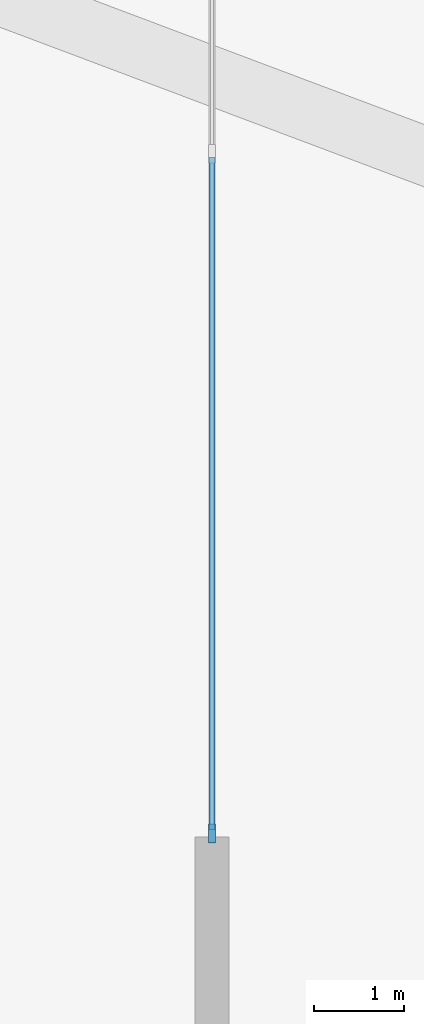
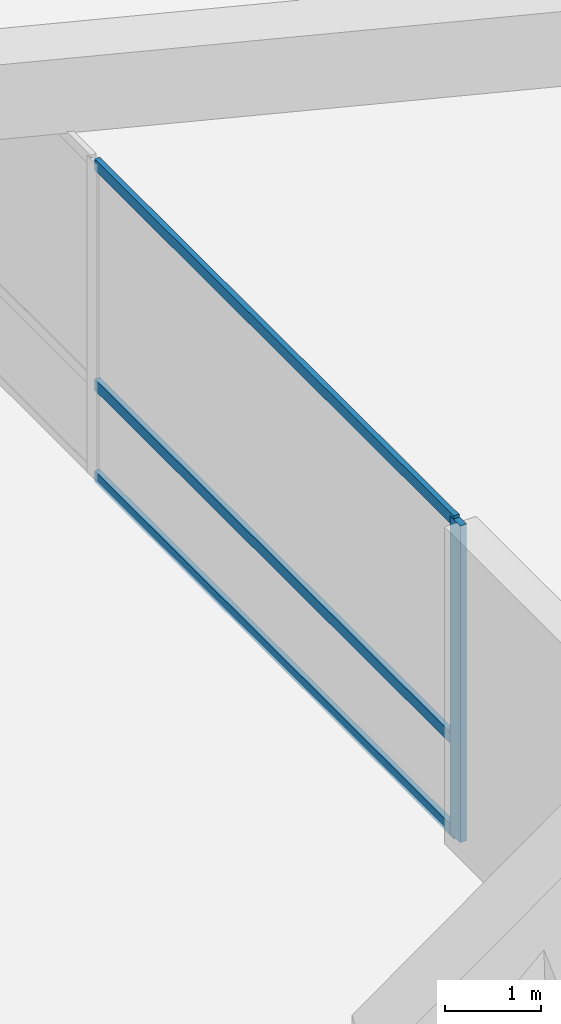
# One storey, part 4 of 19: 4 members, 1 element without a shape of its own.
"""IFC4 building model written with IfcOpenShell, lengths in metres."""

from ifc_helpers import new_model, si_unit, direction, frame, origin, origin_2d, place, context, subcontext, project, spatial, rectangle, extrude, material, layer, layer_set, material_profile, profile_set, type_object, element, aggregate, save


model = new_model("IFC4")

# Units and contexts
model_context = context("Model", 3, precision=1e-05, world=origin(), true_north=direction((0.0, 1.0)))
body_context = subcontext(model_context, "Body", "Model", "MODEL_VIEW")
ifc_project = project(units=[si_unit("LENGTHUNIT", "METRE"), si_unit("AREAUNIT", "SQUARE_METRE"), si_unit("VOLUMEUNIT", "CUBIC_METRE"), si_unit("PLANEANGLEUNIT", "RADIAN"), si_unit("MASSUNIT", "GRAM", prefix="KILO")], contexts=[model_context])

# Site, building, storey
site_placement = place(None, origin())
site = spatial("IfcSite", under=ifc_project, at=site_placement, CompositionType="ELEMENT")
building_placement = place(site_placement, origin())
building = spatial("IfcBuilding", under=site, at=building_placement, Name="Talyreon Biosciences Tower", CompositionType="ELEMENT")
storey_placement = place(building_placement, origin())
storey = spatial("IfcBuildingStorey", under=building, at=storey_placement, Name="L00", CompositionType="ELEMENT", Elevation=0.0)

# Curtain wall, members
ifc_material_1 = material(Name="Thermally broken aluminium and low-E glazing", Category="aluminium")
ifc_layer = layer(ifc_material_1, 0.219970703125)
ifc_layer_set = layer_set([ifc_layer], Name="Thermally broken aluminium and low-E glazing")
curtain_wall_type = type_object("IfcCurtainWallType", Name="CurtainWall_PodiumDoubleHeight", PredefinedType="NOTDEFINED", material=ifc_layer_set)
curtain_wall_placement = place(storey_placement, origin())
curtain_wall = element("IfcCurtainWall", 1, at=curtain_wall_placement, inside=storey, type_object=curtain_wall_type, Name="L00 Unitised Curtain Wall FCW-L00-E", PredefinedType="NOTDEFINED")
ifc_material_2 = material(Name="Anodised thermally broken aluminium", Category="aluminium")
ifc_material_profile_1 = material_profile(ifc_material_2, rectangle(XDim=0.074951171875, YDim=0.2099609375, at=origin_2d()), Name="ALUM MULLION 75x210")
ifc_profile_set_1 = profile_set([ifc_material_profile_1], Name="Anodised thermally broken aluminium")
member_type_1 = type_object("IfcMemberType", Name="CWMullion_75x210", PredefinedType="MULLION", material=ifc_profile_set_1)
member_1_placement = place(storey_placement, frame((83.5, 48.03759765625, 0.0), z_axis=(0.0, 0.0, 1.0), x_axis=(1.0, 0.0, 0.0)))
member_1 = element("IfcMember", 2, at=member_1_placement, type_object=member_type_1, Name="CW1 mullion 6", PredefinedType="MULLION", context=body_context, shape_type="SweptSolid", body=[
    extrude(rectangle(XDim=0.074951171875, YDim=0.2099609375, at=origin_2d()), origin(), (0.0, 0.0, 1.0), 4.030029296875),
])
ifc_material_profile_2 = material_profile(ifc_material_2, rectangle(XDim=0.06494140625, YDim=0.139892578125, at=origin_2d()), Name="ALUM TRANSOM 65x140")
ifc_profile_set_2 = profile_set([ifc_material_profile_2], Name="Anodised thermally broken aluminium")
member_type_2 = type_object("IfcMemberType", Name="CWTransom_65x140", PredefinedType="USERDEFINED", material=ifc_profile_set_2)
member_2_placement = place(storey_placement, frame((83.5, 55.5625, 0.032470703125), z_axis=(0.0, -1.0, 0.0), x_axis=(1.0, 0.0, 0.0)))
member_2 = element("IfcMember", 3, at=member_2_placement, type_object=member_type_2, Name="CW1 transom 5.1", ObjectType="TRANSOM", PredefinedType="USERDEFINED", context=body_context, shape_type="SweptSolid", body=[
    extrude(rectangle(XDim=0.06494140625, YDim=0.139892578125, at=origin_2d()), origin(), (0.0, 0.0, 1.0), 7.487548828125),
])
member_3_placement = place(storey_placement, frame((83.5, 55.5625, 1.199951171875), z_axis=(0.0, -1.0, 0.0), x_axis=(1.0, 0.0, 0.0)))
member_3 = element("IfcMember", 4, at=member_3_placement, type_object=member_type_2, Name="CW1 transom 5.2", ObjectType="TRANSOM", PredefinedType="USERDEFINED", context=body_context, shape_type="SweptSolid", body=[
    extrude(rectangle(XDim=0.06494140625, YDim=0.139892578125, at=origin_2d()), origin(), (0.0, 0.0, 1.0), 7.487548828125),
])
member_4_placement = place(storey_placement, frame((83.5, 55.5625, 3.99755859375), z_axis=(0.0, -1.0, 0.0), x_axis=(1.0, 0.0, 0.0)))
member_4 = element("IfcMember", 5, at=member_4_placement, type_object=member_type_2, Name="CW1 transom 5.3", ObjectType="TRANSOM", PredefinedType="USERDEFINED", context=body_context, shape_type="SweptSolid", body=[
    extrude(rectangle(XDim=0.06494140625, YDim=0.139892578125, at=origin_2d()), origin(), (0.0, 0.0, 1.0), 7.487548828125),
])
aggregate(curtain_wall, [member_1, member_2, member_3, member_4])

save(model, "model.ifc")
